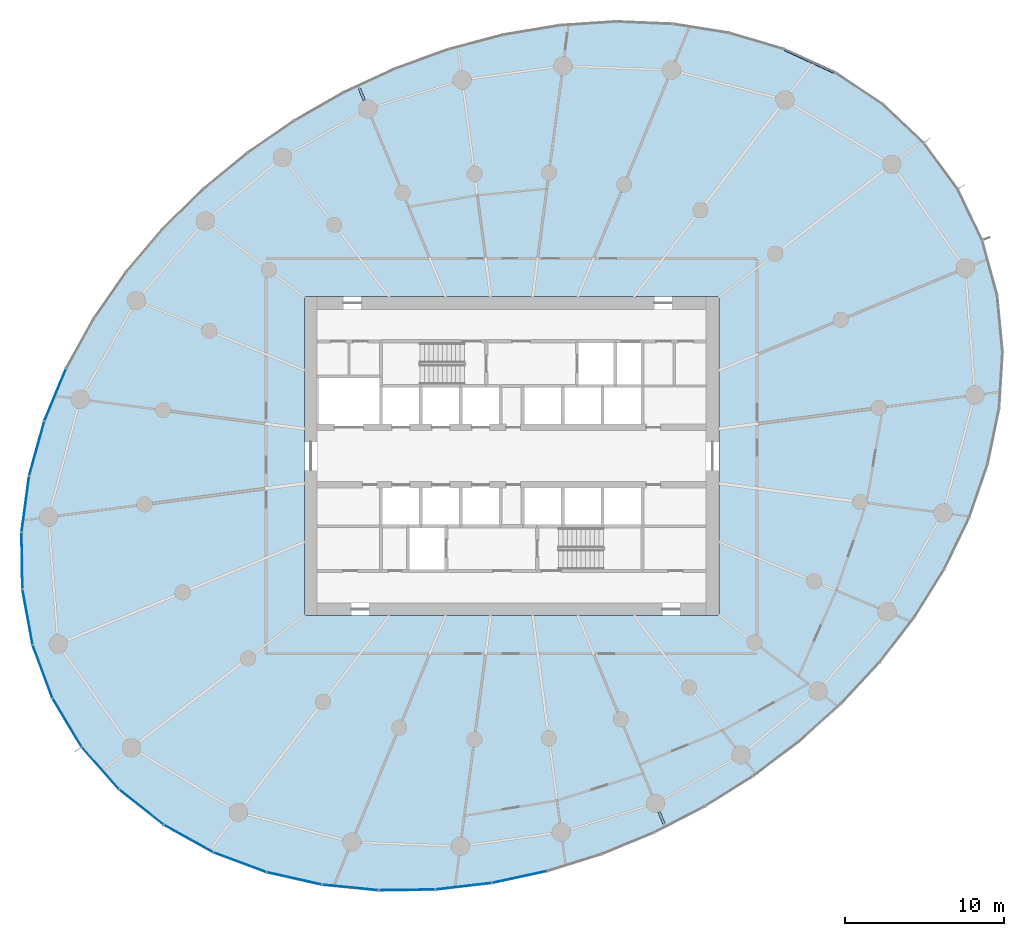
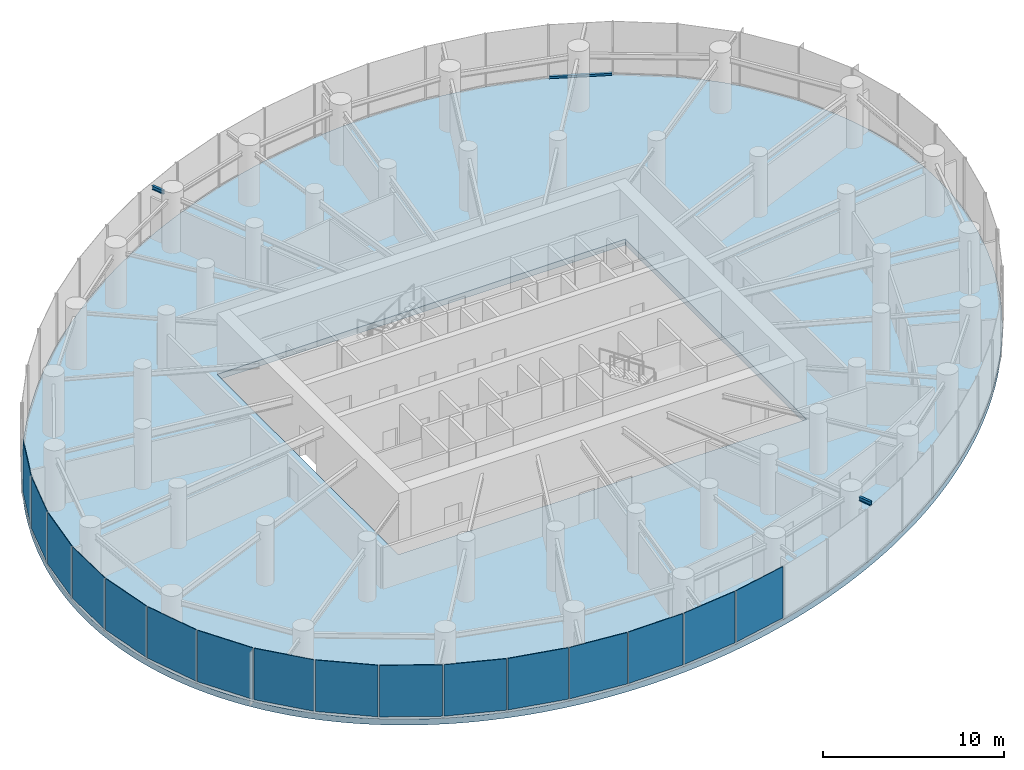
# One storey, part 8 of 17: 16 plates, 2 beams, 1 member, 1 slab, 4 elements without a shape of their own.
"""IFC4 building model written with IfcOpenShell, lengths in metres."""

from ifc_helpers import new_model, si_unit, direction, frame, origin, origin_2d, place, context, subcontext, project, spatial, line, indexed_curve, rectangle, i_section, outline, extrude, source, transform, mapped, material, layer, layer_set, material_profile, profile_set, type_object, element, aggregate, save


model = new_model("IFC4")

# Units and contexts
model_context = context("Model", 3, precision=1e-05, world=origin(), true_north=direction((0.0, 1.0)))
body_context = subcontext(model_context, "Body", "Model", "MODEL_VIEW")
ifc_project = project(units=[si_unit("LENGTHUNIT", "METRE"), si_unit("AREAUNIT", "SQUARE_METRE"), si_unit("VOLUMEUNIT", "CUBIC_METRE"), si_unit("PLANEANGLEUNIT", "RADIAN"), si_unit("MASSUNIT", "GRAM", prefix="KILO")], contexts=[model_context])

# Site, building, storey
site_placement = place(None, origin())
site = spatial("IfcSite", under=ifc_project, at=site_placement, CompositionType="ELEMENT")
building_placement = place(site_placement, origin())
building = spatial("IfcBuilding", under=site, at=building_placement, Name="Spindrift Exchange Tower", CompositionType="ELEMENT")
storey_placement = place(building_placement, frame((0.0, 0.0, 124.89990234375)))
storey = spatial("IfcBuildingStorey", under=building, at=storey_placement, Name="L29", CompositionType="ELEMENT", Elevation=124.89990234375)

# Beams
ifc_material_1 = material(Name="Steel Grade 300", Category="steel")
ifc_material_profile_1 = material_profile(ifc_material_1, i_section(OverallWidth=0.14599609375, OverallDepth=0.251953125, WebThickness=0.006103515625, FlangeThickness=0.008544921875, FilletRadius=0.011962890625, at=origin_2d()), Name="250UB31.4")
ifc_profile_set_1 = profile_set([ifc_material_profile_1], Name="Steel Grade 300")
beam_type = type_object("IfcBeamType", Name="Cantilever Beam 250UB31.4 Steel Grade 300", PredefinedType="BEAM", material=ifc_profile_set_1)
shared_shape_1 = source(origin(), body_context, "Body", "SweptSolid", [
    extrude(i_section(OverallWidth=0.14599609375, OverallDepth=0.251953125, WebThickness=0.006103515625, FlangeThickness=0.008544921875, FilletRadius=0.011962890625, at=origin_2d()), origin(), (0.0, 0.0, 1.0), 0.823486328125),
])
for number, where, z_axis, x_axis, name in (
    (1, (42.75634765625, 70.31640625, 3.47412109375), (-0.382762017913, 0.923846977396, 0.0), (-0.923846977396, -0.382762017913, 0.0), "L29 cantilever beam R08T"),
    (2, (61.24365234375, 25.68359375, 3.47412109375), (0.382762017913, -0.923846977396, 0.0), (0.923846977396, 0.382762017913, 0.0), "L29 cantilever beam R20T"),
):
    element("IfcBeam", number, at=place(storey_placement, frame(where, z_axis=z_axis, x_axis=x_axis)), inside=storey, type_object=beam_type, Name=name, PredefinedType="BEAM", context=body_context, shape_type="MappedRepresentation", body=[
        mapped(shared_shape_1, transform((0.0, 0.0, 0.0), scale=1.0)),
    ])

# Curtain wall, member
ifc_material_2 = material(Name="Fritted laminated glass with bronze frame", Category="glass")
ifc_layer_1 = layer(ifc_material_2, 0.18994140625)
ifc_layer_set_1 = layer_set([ifc_layer_1], Name="ZONE 2 BRONZE FRITTED WALL")
curtain_wall_type = type_object("IfcCurtainWallType", Name="ZONE 2 BRONZE FRITTED WALL", PredefinedType="NOTDEFINED", material=ifc_layer_set_1)
curtain_wall_1_placement = place(storey_placement, origin())
curtain_wall_1 = element("IfcCurtainWall", 3, at=curtain_wall_1_placement, inside=storey, type_object=curtain_wall_type, Name="L29 Zone 2 Bronze Fritted Wall run 1", PredefinedType="NOTDEFINED")
ifc_material_3 = material(Name="Bronze anodised aluminium", Category="aluminium")
ifc_material_profile_2 = material_profile(ifc_material_3, rectangle(XDim=0.169921875, YDim=0.139892578125, at=origin_2d()), Name="ZONE 2 BRONZE FRITTED WALL TRANSOM 170X140")
ifc_profile_set_2 = profile_set([ifc_material_profile_2], Name="Bronze anodised aluminium")
member_type = type_object("IfcMemberType", Name="ZONE 2 BRONZE FRITTED WALL TRANSOM 170X140", PredefinedType="USERDEFINED", material=ifc_profile_set_2)
shared_shape_2 = source(origin(), body_context, "Body", "SweptSolid", [
    extrude(rectangle(XDim=0.169921875, YDim=0.139892578125, at=origin_2d()), origin(), (0.0, 0.0, 1.0), 3.489501953125),
])
member_placement = place(storey_placement, frame((72.2724609375, 72.0673828125, 0.070068359375), z_axis=(-0.908846069495, 0.417131660226, 0.0), x_axis=(-0.417131660226, -0.908846069495, 0.0)))
member = element("IfcMember", 4, at=member_placement, type_object=member_type, Name="L29 transom CW-2.4", ObjectType="TRANSOM", PredefinedType="USERDEFINED", context=body_context, shape_type="MappedRepresentation", body=[
    mapped(shared_shape_2, transform((0.0, 0.0, 0.0), scale=1.0)),
])
aggregate(curtain_wall_1, [member])

# Slab
ifc_material_4 = material(Name="Concrete 50 MPa", Category="concrete")
ifc_layer_2 = layer(ifc_material_4, 0.39990234375)
ifc_layer_set_2 = layer_set([ifc_layer_2], Name="RC Floor Slab 400 Concrete 50 MPa")
slab_type = type_object("IfcSlabType", Name="RC Floor Slab 400 Concrete 50 MPa", PredefinedType="FLOOR", material=ifc_layer_set_2)
slab_placement = place(storey_placement, frame((0.0, 0.0, -0.39990234375)))
element("IfcSlab", 5, at=slab_placement, inside=storey, type_object=slab_type, Name="Floor slab L29", PredefinedType="FLOOR", context=body_context, shape_type="SweptSolid", body=[
    extrude(outline(indexed_curve([(79.964111328125, 64.751220703125), (79.69873046875, 65.181396484375), (79.422119140625, 65.6044921875), (79.134521484375, 66.020263671875), (78.836181640625, 66.42822265625), (78.527587890625, 66.828369140625), (78.20849609375, 67.22021484375), (77.87939453125, 67.60400390625), (77.54052734375, 67.97900390625), (77.1923828125, 68.34521484375), (76.8349609375, 68.702392578125), (76.468505859375, 69.05078125), (76.093505859375, 69.3896484375), (75.71044921875, 69.71923828125), (75.3193359375, 70.039306640625), (74.92041015625, 70.349853515625), (74.514404296875, 70.650634765625), (74.101318359375, 70.94189453125), (73.681396484375, 71.22314453125), (73.255126953125, 71.49462890625), (72.82275390625, 71.75634765625), (72.384521484375, 72.00830078125), (71.94091796875, 72.250244140625), (71.49169921875, 72.482421875), (71.0380859375, 72.704833984375), (70.579345703125, 72.917236328125), (70.116455078125, 73.1201171875), (69.6494140625, 73.313232421875), (69.178466796875, 73.49658203125), (68.703857421875, 73.670654296875), (68.225830078125, 73.8349609375), (67.2607421875, 74.135498046875), (66.284912109375, 74.398681640625), (65.79345703125, 74.5166015625), (65.2998046875, 74.625732421875), (64.307373046875, 74.81689453125), (63.30859375, 74.972900390625), (62.8076171875, 75.0380859375), (62.30517578125, 75.094970703125), (61.29833984375, 75.183349609375), (60.2890625, 75.239013671875), (59.78369140625, 75.2548828125), (59.278564453125, 75.262939453125), (58.267578125, 75.255615234375), (57.762451171875, 75.240478515625), (56.7529296875, 75.1875), (55.74560546875, 75.10546875), (55.242919921875, 75.053466796875), (54.74072265625, 74.994384765625), (53.739501953125, 74.85546875), (53.240478515625, 74.775634765625), (52.245849609375, 74.595703125), (51.25634765625, 74.38916015625), (50.763671875, 74.276123046875), (49.783203125, 74.03076171875), (49.29541015625, 73.898681640625), (48.80908203125, 73.76025390625), (47.84228515625, 73.465087890625), (47.36181640625, 73.308349609375), (46.406982421875, 72.976806640625), (45.9326171875, 72.802490234375), (44.990478515625, 72.435791015625), (44.52294921875, 72.243896484375), (43.594970703125, 71.843017578125), (43.134765625, 71.63427734375), (42.221923828125, 71.2001953125), (41.319580078125, 70.744140625), (40.872802734375, 70.508056640625), (39.987548828125, 70.02001953125), (39.114501953125, 69.5107421875), (38.25341796875, 68.981201171875), (37.405517578125, 68.430908203125), (36.986328125, 68.148193359375), (36.15869140625, 67.568115234375), (35.75, 67.2705078125), (34.94384765625, 66.660888671875), (34.152587890625, 66.03173828125), (33.7626953125, 65.7099609375), (32.9951171875, 65.052490234375), (32.617431640625, 64.716552734375), (31.87451171875, 64.031005859375), (31.509765625, 63.681396484375), (31.149169921875, 63.326904296875), (30.44189453125, 62.60498046875), (30.09521484375, 62.237060546875), (29.416259765625, 61.48828125), (28.757080078125, 60.721923828125), (28.43505859375, 60.332275390625), (28.118408203125, 59.9384765625), (27.501220703125, 59.137939453125), (26.90625, 58.32080078125), (26.617431640625, 57.906005859375), (26.057373046875, 57.064453125), (25.78662109375, 56.6376953125), (25.52197265625, 56.20703125), (25.011962890625, 55.334228515625), (24.528564453125, 54.446533203125), (24.297119140625, 53.997314453125), (23.85546875, 53.087890625), (23.6455078125, 52.628173828125), (23.443115234375, 52.1650390625), (23.0615234375, 51.22900390625), (22.711669921875, 50.28076171875), (22.549072265625, 49.80224609375), (22.2490234375, 48.8369140625), (22.1123046875, 48.350341796875), (21.865478515625, 47.3701171875), (21.756103515625, 46.876708984375), (21.565673828125, 45.884033203125), (21.485107421875, 45.385009765625), (21.41455078125, 44.884521484375), (21.35400390625, 44.3828125), (21.303955078125, 43.8798828125), (21.264404296875, 43.3759765625), (21.2353515625, 42.871337890625), (21.21728515625, 42.3662109375), (21.2099609375, 41.861083984375), (21.214111328125, 41.355712890625), (21.229248046875, 40.850341796875), (21.256103515625, 40.345703125), (21.294189453125, 39.841796875), (21.34423828125, 39.3388671875), (21.406005859375, 38.837158203125), (21.4794921875, 38.337158203125), (21.565185546875, 37.839111328125), (21.662841796875, 37.343017578125), (21.772705078125, 36.849609375), (21.89453125, 36.359375), (22.02880859375, 35.8720703125), (22.17529296875, 35.38818359375), (22.333740234375, 34.908203125), (22.50439453125, 34.4326171875), (22.6875, 33.96142578125), (22.882568359375, 33.4951171875), (23.089599609375, 33.0341796875), (23.30859375, 32.57861328125), (23.539306640625, 32.12890625), (23.781982421875, 31.685546875), (24.035888671875, 31.248779296875), (24.30126953125, 30.818603515625), (24.577880859375, 30.3955078125), (24.865478515625, 29.979736328125), (25.163818359375, 29.57177734375), (25.472412109375, 29.171630859375), (25.79150390625, 28.77978515625), (26.12060546875, 28.39599609375), (26.45947265625, 28.02099609375), (26.8076171875, 27.65478515625), (27.1650390625, 27.297607421875), (27.531494140625, 26.94921875), (27.906494140625, 26.6103515625), (28.28955078125, 26.28076171875), (28.6806640625, 25.960693359375), (29.07958984375, 25.650146484375), (29.485595703125, 25.349365234375), (29.898681640625, 25.05810546875), (30.318603515625, 24.77685546875), (30.744873046875, 24.50537109375), (31.17724609375, 24.24365234375), (31.615478515625, 23.99169921875), (32.05908203125, 23.749755859375), (32.50830078125, 23.517578125), (32.9619140625, 23.295166015625), (33.420654296875, 23.082763671875), (33.883544921875, 22.8798828125), (34.3505859375, 22.686767578125), (34.821533203125, 22.50341796875), (35.296142578125, 22.329345703125), (35.774169921875, 22.1650390625), (36.7392578125, 21.864501953125), (37.715087890625, 21.601318359375), (38.20654296875, 21.4833984375), (38.7001953125, 21.374267578125), (39.692626953125, 21.18310546875), (40.69140625, 21.027099609375), (41.1923828125, 20.9619140625), (41.69482421875, 20.905029296875), (42.70166015625, 20.816650390625), (43.7109375, 20.760986328125), (44.21630859375, 20.7451171875), (44.721435546875, 20.737060546875), (45.732421875, 20.744384765625), (46.237548828125, 20.759521484375), (47.2470703125, 20.8125), (48.25439453125, 20.89453125), (48.757080078125, 20.946533203125), (49.25927734375, 21.005615234375), (50.260498046875, 21.14453125), (50.759521484375, 21.224365234375), (51.754150390625, 21.404296875), (52.74365234375, 21.61083984375), (53.236328125, 21.723876953125), (54.216796875, 21.96923828125), (54.70458984375, 22.101318359375), (55.19091796875, 22.23974609375), (56.15771484375, 22.534912109375), (57.11669921875, 22.8544921875), (57.593017578125, 23.023193359375), (58.0673828125, 23.197509765625), (59.009521484375, 23.564208984375), (59.47705078125, 23.756103515625), (60.405029296875, 24.156982421875), (60.865234375, 24.36572265625), (61.778076171875, 24.7998046875), (62.680419921875, 25.255859375), (63.127197265625, 25.491943359375), (64.012451171875, 25.97998046875), (64.885498046875, 26.4892578125), (65.74658203125, 27.018798828125), (66.594482421875, 27.569091796875), (67.013671875, 27.851806640625), (67.84130859375, 28.431884765625), (68.25, 28.7294921875), (69.05615234375, 29.339111328125), (69.847412109375, 29.96826171875), (70.2373046875, 30.2900390625), (71.0048828125, 30.947509765625), (71.382568359375, 31.283447265625), (72.12548828125, 31.968994140625), (72.490234375, 32.318603515625), (72.850830078125, 32.673095703125), (73.55810546875, 33.39501953125), (74.24658203125, 34.135009765625), (74.583740234375, 34.51171875), (75.242919921875, 35.278076171875), (75.56494140625, 35.667724609375), (75.881591796875, 36.0615234375), (76.498779296875, 36.862060546875), (77.09375, 37.67919921875), (77.382568359375, 38.093994140625), (77.942626953125, 38.935546875), (78.21337890625, 39.3623046875), (78.47802734375, 39.79296875), (78.988037109375, 40.665771484375), (79.471435546875, 41.553466796875), (79.702880859375, 42.002685546875), (80.14453125, 42.912109375), (80.3544921875, 43.371826171875), (80.556884765625, 43.8349609375), (80.9384765625, 44.77099609375), (81.288330078125, 45.71923828125), (81.450927734375, 46.19775390625), (81.7509765625, 47.1630859375), (81.8876953125, 47.649658203125), (82.134521484375, 48.6298828125), (82.243896484375, 49.123291015625), (82.434326171875, 50.115966796875), (82.514892578125, 50.614990234375), (82.58544921875, 51.115478515625), (82.64599609375, 51.6171875), (82.696044921875, 52.1201171875), (82.735595703125, 52.6240234375), (82.7646484375, 53.128662109375), (82.78271484375, 53.6337890625), (82.7900390625, 54.138916015625), (82.785888671875, 54.644287109375), (82.770751953125, 55.149658203125), (82.743896484375, 55.654296875), (82.705810546875, 56.158203125), (82.65576171875, 56.6611328125), (82.593994140625, 57.162841796875), (82.5205078125, 57.662841796875), (82.434814453125, 58.160888671875), (82.337158203125, 58.656982421875), (82.227294921875, 59.150390625), (82.10546875, 59.640625), (81.97119140625, 60.1279296875), (81.82470703125, 60.61181640625), (81.666259765625, 61.091796875), (81.49560546875, 61.5673828125), (81.3125, 62.03857421875), (81.117431640625, 62.5048828125), (80.910400390625, 62.9658203125), (80.69140625, 63.42138671875), (80.460693359375, 63.87109375), (80.218017578125, 64.314453125)], segments=[line(1, 2, 3, 4, 5, 6, 7, 8, 9, 10, 11, 12, 13, 14, 15, 16, 17, 18, 19, 20, 21, 22, 23, 24, 25, 26, 27, 28, 29, 30, 31, 32, 33, 34, 35, 36, 37, 38, 39, 40, 41, 42, 43, 44, 45, 46, 47, 48, 49, 50, 51, 52, 53, 54, 55, 56, 57, 58, 59, 60, 61, 62, 63, 64, 65, 66, 67, 68, 69, 70, 71, 72, 73, 74, 75, 76, 77, 78, 79, 80, 81, 82, 83, 84, 85, 86, 87, 88, 89, 90, 91, 92, 93, 94, 95, 96, 97, 98, 99, 100, 101, 102, 103, 104, 105, 106, 107, 108, 109, 110, 111, 112, 113, 114, 115, 116, 117, 118, 119, 120, 121, 122, 123, 124, 125, 126, 127, 128, 129, 130, 131, 132, 133, 134, 135, 136, 137, 138, 139, 140, 141, 142, 143, 144, 145, 146, 147, 148, 149, 150, 151, 152, 153, 154, 155, 156, 157, 158, 159, 160, 161, 162, 163, 164, 165, 166, 167, 168, 169, 170, 171, 172, 173, 174, 175, 176, 177, 178, 179, 180, 181, 182, 183, 184, 185, 186, 187, 188, 189, 190, 191, 192, 193, 194, 195, 196, 197, 198, 199, 200, 201, 202, 203, 204, 205, 206, 207, 208, 209, 210, 211, 212, 213, 214, 215, 216, 217, 218, 219, 220, 221, 222, 223, 224, 225, 226, 227, 228, 229, 230, 231, 232, 233, 234, 235, 236, 237, 238, 239, 240, 241, 242, 243, 244, 245, 246, 247, 248, 249, 250, 251, 252, 253, 254, 255, 256, 257, 258, 259, 260, 261, 262, 263, 264, 265, 266, 267, 268, 269, 270, 271, 272, 273, 274, 275, 276, 1)], self_intersect=False), holes=[indexed_curve([(39.0, 38.0), (65.0, 38.0), (65.0, 58.0), (39.0, 58.0)], segments=[line(1, 2, 3, 4, 1)], self_intersect=False)]), origin(), (0.0, 0.0, 1.0), 0.39990234375),
])

# Curtain wall, plate
curtain_wall_2_placement = place(storey_placement, origin())
curtain_wall_2 = element("IfcCurtainWall", 6, at=curtain_wall_2_placement, inside=storey, type_object=curtain_wall_type, Name="L29 Zone 2 Bronze Fritted Wall run 5", PredefinedType="NOTDEFINED")
ifc_material_5 = material(Name="Bronze fritted laminated glass, close frit", Category="glass")
ifc_layer_3 = layer(ifc_material_5, 0.033935546875)
ifc_layer_set_3 = layer_set([ifc_layer_3], Name="ZONE 2 BRONZE FRITTED WALL PANEL CLOSE FRIT 300")
plate_type_1 = type_object("IfcPlateType", Name="ZONE 2 BRONZE FRITTED WALL PANEL CLOSE FRIT 300", PredefinedType="CURTAIN_PANEL", material=ifc_layer_set_3)
shared_shape_3 = source(origin(), body_context, "Body", "SweptSolid", [
    extrude(rectangle(XDim=3.489501953125, YDim=0.033935546875, at=origin_2d()), origin(), (0.0, 0.0, 1.0), 3.4599609375),
])
plate_1_placement = place(storey_placement, frame((34.955078125, 22.52099609375, 0.14013671875), z_axis=(0.0, 0.0, 1.0), x_axis=(0.936898758156, -0.349600796576, 0.0)))
plate_1 = element("IfcPlate", 7, at=plate_1_placement, type_object=plate_type_1, Name="L29 panel CW-2.30", PredefinedType="CURTAIN_PANEL", context=body_context, shape_type="MappedRepresentation", body=[
    mapped(shared_shape_3, transform((0.0, 0.0, 0.0), scale=1.0)),
])

# Curtain wall, plates
curtain_wall_3_placement = place(storey_placement, origin())
curtain_wall_3 = element("IfcCurtainWall", 8, at=curtain_wall_3_placement, inside=storey, type_object=curtain_wall_type, Name="L29 Zone 2 Bronze Fritted Wall run 6", PredefinedType="NOTDEFINED")
shared_shape_4 = source(origin(), body_context, "Body", "SweptSolid", [
    extrude(rectangle(XDim=3.490966796875, YDim=0.033935546875, at=origin_2d()), origin(), (0.0, 0.0, 1.0), 3.4599609375),
])
plate_2_placement = place(storey_placement, frame((45.434326171875, 20.786865234375, 0.14013671875), z_axis=(0.0, 0.0, 1.0), x_axis=(0.999912767027, 0.0132082677, 0.0)))
plate_2 = element("IfcPlate", 9, at=plate_2_placement, type_object=plate_type_1, Name="L29 panel CW-2.33", PredefinedType="CURTAIN_PANEL", context=body_context, shape_type="MappedRepresentation", body=[
    mapped(shared_shape_4, transform((0.0, 0.0, 0.0), scale=1.0)),
])
ifc_layer_4 = layer(ifc_material_5, 0.033935546875)
ifc_layer_set_4 = layer_set([ifc_layer_4], Name="ZONE 2 BRONZE FRITTED WALL PANEL CLOSE FRIT 540")
plate_type_2 = type_object("IfcPlateType", Name="ZONE 2 BRONZE FRITTED WALL PANEL CLOSE FRIT 540", PredefinedType="CURTAIN_PANEL", material=ifc_layer_set_4)
shared_shape_5 = source(origin(), body_context, "Body", "SweptSolid", [
    extrude(rectangle(XDim=3.491455078125, YDim=0.033935546875, at=origin_2d()), origin(), (0.0, 0.0, 1.0), 3.4599609375),
])
plate_3_placement = place(storey_placement, frame((52.50244140625, 21.6005859375, 0.14013671875), z_axis=(0.0, 0.0, 1.0), x_axis=(0.977492546798, 0.210969952727, 0.0)))
plate_3 = element("IfcPlate", 10, at=plate_3_placement, type_object=plate_type_2, Name="L29 panel CW-2.35", PredefinedType="CURTAIN_PANEL", context=body_context, shape_type="MappedRepresentation", body=[
    mapped(shared_shape_5, transform((0.0, 0.0, 0.0), scale=1.0)),
])

curtain_wall_4_placement = place(storey_placement, origin())
curtain_wall_4 = element("IfcCurtainWall", 11, at=curtain_wall_4_placement, inside=storey, type_object=curtain_wall_type, Name="L29 Zone 2 Bronze Fritted Wall run 4", PredefinedType="NOTDEFINED")
ifc_layer_5 = layer(ifc_material_5, 0.033935546875)
ifc_layer_set_5 = layer_set([ifc_layer_5], Name="ZONE 2 BRONZE FRITTED WALL PANEL CLOSE FRIT 420")
plate_type_3 = type_object("IfcPlateType", Name="ZONE 2 BRONZE FRITTED WALL PANEL CLOSE FRIT 420", PredefinedType="CURTAIN_PANEL", material=ifc_layer_set_5)
shared_shape_6 = source(origin(), body_context, "Body", "SweptSolid", [
    extrude(rectangle(XDim=3.49072265625, YDim=0.033935546875, at=origin_2d()), origin(), (0.0, 0.0, 1.0), 3.4599609375),
])
plate_4_placement = place(storey_placement, frame((23.364501953125, 51.84375, 0.14013671875), z_axis=(0.0, 0.0, 1.0), x_axis=(-0.3826737575, -0.923883539912, 0.0)))
plate_4 = element("IfcPlate", 12, at=plate_4_placement, type_object=plate_type_3, Name="L29 panel CW-2.20", PredefinedType="CURTAIN_PANEL", context=body_context, shape_type="MappedRepresentation", body=[
    mapped(shared_shape_6, transform((0.0, 0.0, 0.0), scale=1.0)),
])
shared_shape_7 = source(origin(), body_context, "Body", "SweptSolid", [
    extrude(rectangle(XDim=3.490478515625, YDim=0.033935546875, at=origin_2d()), origin(), (0.0, 0.0, 1.0), 3.4599609375),
])
plate_5_placement = place(storey_placement, frame((22.20703125, 48.478515625, 0.14013671875), z_axis=(0.0, 0.0, 1.0), x_axis=(-0.266621081461, -0.963801431271, 0.0)))
plate_5 = element("IfcPlate", 13, at=plate_5_placement, type_object=plate_type_2, Name="L29 panel CW-2.21", PredefinedType="CURTAIN_PANEL", context=body_context, shape_type="MappedRepresentation", body=[
    mapped(shared_shape_7, transform((0.0, 0.0, 0.0), scale=1.0)),
])
shared_shape_8 = source(origin(), body_context, "Body", "SweptSolid", [
    extrude(rectangle(XDim=3.48974609375, YDim=0.033935546875, at=origin_2d()), origin(), (0.0, 0.0, 1.0), 3.4599609375),
])
plate_6_placement = place(storey_placement, frame((21.4931640625, 44.993896484375, 0.14013671875), z_axis=(0.0, 0.0, 1.0), x_axis=(-0.133840898254, -0.991002832466, 0.0)))
plate_6 = element("IfcPlate", 14, at=plate_6_placement, type_object=plate_type_1, Name="L29 panel CW-2.22", PredefinedType="CURTAIN_PANEL", context=body_context, shape_type="MappedRepresentation", body=[
    mapped(shared_shape_8, transform((0.0, 0.0, 0.0), scale=1.0)),
])
shared_shape_9 = source(origin(), body_context, "Body", "SweptSolid", [
    extrude(rectangle(XDim=3.489013671875, YDim=0.033935546875, at=origin_2d()), origin(), (0.0, 0.0, 1.0), 3.4599609375),
])
plate_7_placement = place(storey_placement, frame((21.28271484375, 41.44580078125, 0.14013671875), z_axis=(0.0, 0.0, 1.0), x_axis=(0.015712552653, -0.999876550225, 0.0)))
plate_7 = element("IfcPlate", 15, at=plate_7_placement, type_object=plate_type_3, Name="L29 panel CW-2.23", PredefinedType="CURTAIN_PANEL", context=body_context, shape_type="MappedRepresentation", body=[
    mapped(shared_shape_9, transform((0.0, 0.0, 0.0), scale=1.0)),
])

# Plate
plate_8_placement = place(storey_placement, frame((31.7275390625, 24.009521484375, 0.14013671875), z_axis=(0.0, 0.0, 1.0), x_axis=(0.874167481954, -0.485624560225, 0.0)))
plate_8 = element("IfcPlate", 16, at=plate_8_placement, type_object=plate_type_3, Name="L29 panel CW-2.29", PredefinedType="CURTAIN_PANEL", context=body_context, shape_type="MappedRepresentation", body=[
    mapped(shared_shape_9, transform((0.0, 0.0, 0.0), scale=1.0)),
])

shared_shape_10 = source(origin(), body_context, "Body", "SweptSolid", [
    extrude(rectangle(XDim=3.48828125, YDim=0.033935546875, at=origin_2d()), origin(), (0.0, 0.0, 1.0), 3.4599609375),
])
plate_9_placement = place(storey_placement, frame((21.62939453125, 37.9111328125, 0.14013671875), z_axis=(0.0, 0.0, 1.0), x_axis=(0.178984235609, -0.98385194181, 0.0)))
plate_9 = element("IfcPlate", 17, at=plate_9_placement, type_object=plate_type_2, Name="L29 panel CW-2.24", PredefinedType="CURTAIN_PANEL", context=body_context, shape_type="MappedRepresentation", body=[
    mapped(shared_shape_10, transform((0.0, 0.0, 0.0), scale=1.0)),
])

aggregate(curtain_wall_4, [plate_4, plate_5, plate_6, plate_7, plate_9])

shared_shape_11 = source(origin(), body_context, "Body", "SweptSolid", [
    extrude(rectangle(XDim=3.48779296875, YDim=0.033935546875, at=origin_2d()), origin(), (0.0, 0.0, 1.0), 3.4599609375),
])
plate_10_placement = place(storey_placement, frame((22.56982421875, 34.488525390625, 0.14013671875), z_axis=(0.0, 0.0, 1.0), x_axis=(0.34881905093, -0.937190092622, 0.0)))
plate_10 = element("IfcPlate", 18, at=plate_10_placement, type_object=plate_type_2, Name="L29 panel CW-2.25", PredefinedType="CURTAIN_PANEL", context=body_context, shape_type="MappedRepresentation", body=[
    mapped(shared_shape_11, transform((0.0, 0.0, 0.0), scale=1.0)),
])

plate_11_placement = place(storey_placement, frame((26.20068359375, 28.42724609375, 0.14013671875), z_axis=(0.0, 0.0, 1.0), x_axis=(0.661725469014, -0.749746226171, 0.0)))
plate_11 = element("IfcPlate", 19, at=plate_11_placement, type_object=plate_type_2, Name="L29 panel CW-2.27", PredefinedType="CURTAIN_PANEL", context=body_context, shape_type="MappedRepresentation", body=[
    mapped(shared_shape_11, transform((0.0, 0.0, 0.0), scale=1.0)),
])

shared_shape_12 = source(origin(), body_context, "Body", "SweptSolid", [
    extrude(rectangle(XDim=3.48779296875, YDim=0.033935546875, at=origin_2d()), origin(), (0.0, 0.0, 1.0), 3.4599609375),
])
plate_12_placement = place(storey_placement, frame((24.106689453125, 31.291015625, 0.14013671875), z_axis=(0.0, 0.0, 1.0), x_axis=(0.513881168257, -0.85786137861, 0.0)))
plate_12 = element("IfcPlate", 20, at=plate_12_placement, type_object=plate_type_1, Name="L29 panel CW-2.26", PredefinedType="CURTAIN_PANEL", context=body_context, shape_type="MappedRepresentation", body=[
    mapped(shared_shape_12, transform((0.0, 0.0, 0.0), scale=1.0)),
])

shared_shape_13 = source(origin(), body_context, "Body", "SweptSolid", [
    extrude(rectangle(XDim=3.48828125, YDim=0.033935546875, at=origin_2d()), origin(), (0.0, 0.0, 1.0), 3.4599609375),
])
plate_13_placement = place(storey_placement, frame((28.774658203125, 25.9833984375, 0.14013671875), z_axis=(0.0, 0.0, 1.0), x_axis=(0.78298394071, -0.622041918676, 0.0)))
plate_13 = element("IfcPlate", 21, at=plate_13_placement, type_object=plate_type_1, Name="L29 panel CW-2.28", PredefinedType="CURTAIN_PANEL", context=body_context, shape_type="MappedRepresentation", body=[
    mapped(shared_shape_13, transform((0.0, 0.0, 0.0), scale=1.0)),
])

aggregate(curtain_wall_2, [plate_10, plate_12, plate_11, plate_13, plate_8, plate_1])

shared_shape_14 = source(origin(), body_context, "Body", "SweptSolid", [
    extrude(rectangle(XDim=3.490234375, YDim=0.033935546875, at=origin_2d()), origin(), (0.0, 0.0, 1.0), 3.4599609375),
])
plate_14_placement = place(storey_placement, frame((38.364013671875, 21.50634765625, 0.14013671875), z_axis=(0.0, 0.0, 1.0), x_axis=(0.975567531502, -0.219699775785, 0.0)))
plate_14 = element("IfcPlate", 22, at=plate_14_placement, type_object=plate_type_3, Name="L29 panel CW-2.31", PredefinedType="CURTAIN_PANEL", context=body_context, shape_type="MappedRepresentation", body=[
    mapped(shared_shape_14, transform((0.0, 0.0, 0.0), scale=1.0)),
])

shared_shape_15 = source(origin(), body_context, "Body", "SweptSolid", [
    extrude(rectangle(XDim=3.49072265625, YDim=0.033935546875, at=origin_2d()), origin(), (0.0, 0.0, 1.0), 3.4599609375),
])
plate_15_placement = place(storey_placement, frame((41.87744140625, 20.93896484375, 0.14013671875), z_axis=(0.0, 0.0, 1.0), x_axis=(0.995132236658, -0.09854862538, 0.0)))
plate_15 = element("IfcPlate", 23, at=plate_15_placement, type_object=plate_type_1, Name="L29 panel CW-2.32", PredefinedType="CURTAIN_PANEL", context=body_context, shape_type="MappedRepresentation", body=[
    mapped(shared_shape_15, transform((0.0, 0.0, 0.0), scale=1.0)),
])

shared_shape_16 = source(origin(), body_context, "Body", "SweptSolid", [
    extrude(rectangle(XDim=3.4912109375, YDim=0.033935546875, at=origin_2d()), origin(), (0.0, 0.0, 1.0), 3.4599609375),
])
plate_16_placement = place(storey_placement, frame((48.98828125, 21.017333984375, 0.14013671875), z_axis=(0.0, 0.0, 1.0), x_axis=(0.993239100663, 0.116086557854, 0.0)))
plate_16 = element("IfcPlate", 24, at=plate_16_placement, type_object=plate_type_1, Name="L29 panel CW-2.34", PredefinedType="CURTAIN_PANEL", context=body_context, shape_type="MappedRepresentation", body=[
    mapped(shared_shape_16, transform((0.0, 0.0, 0.0), scale=1.0)),
])

aggregate(curtain_wall_3, [plate_14, plate_15, plate_2, plate_16, plate_3])

save(model, "model.ifc")
